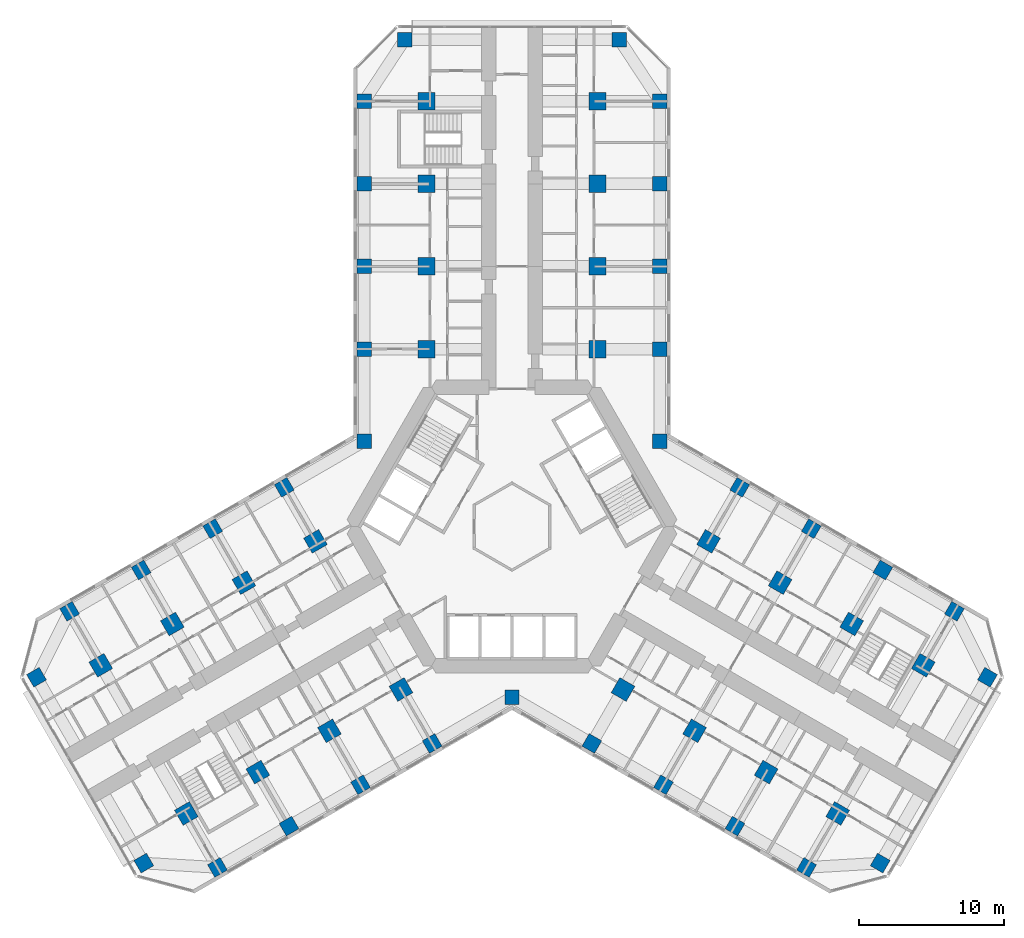
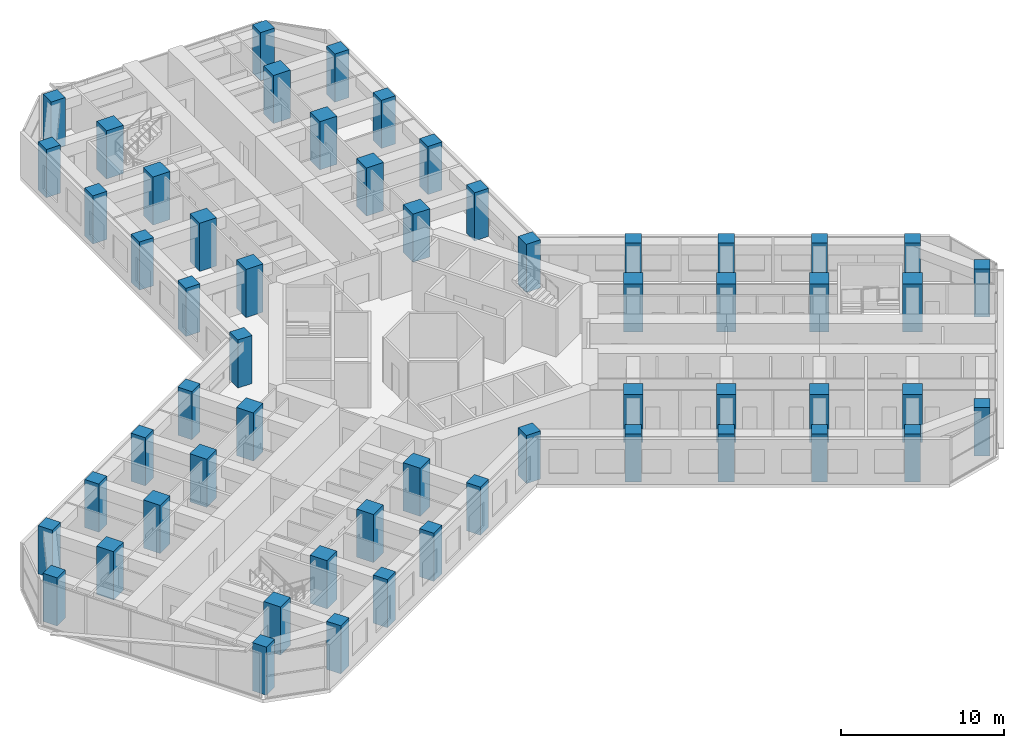
# One storey, part 1 of 21: 57 columns.
"""IFC4 building model written with IfcOpenShell, lengths in metres."""

from ifc_helpers import new_model, si_unit, direction, frame, origin, origin_2d, place, context, subcontext, project, spatial, rectangle, extrude, material, material_profile, profile_set, type_object, element, save


model = new_model("IFC4")

# Units and contexts
model_context = context("Model", 3, precision=1e-05, world=origin(), true_north=direction((0.0, 1.0)))
body_context = subcontext(model_context, "Body", "Model", "MODEL_VIEW")
ifc_project = project(units=[si_unit("LENGTHUNIT", "METRE"), si_unit("AREAUNIT", "SQUARE_METRE"), si_unit("VOLUMEUNIT", "CUBIC_METRE"), si_unit("PLANEANGLEUNIT", "RADIAN"), si_unit("MASSUNIT", "GRAM", prefix="KILO")], contexts=[model_context])

# Site, building, storey
site_placement = place(None, origin())
site = spatial("IfcSite", under=ifc_project, at=site_placement, CompositionType="ELEMENT")
building_placement = place(site_placement, origin())
building = spatial("IfcBuilding", under=site, at=building_placement, Name="Kosmar Iwan School Tower", CompositionType="ELEMENT")
storey_placement = place(building_placement, frame((0.0, 0.0, 61.0)))
storey = spatial("IfcBuildingStorey", under=building, at=storey_placement, Name="L14", CompositionType="ELEMENT", Elevation=61.0)

# Columns
ifc_material_1 = material(Name="Concrete C50/60", Category="concrete")
ifc_material_profile_1 = material_profile(ifc_material_1, rectangle(XDim=1.0, YDim=1.0, at=origin_2d()), Name="RC 1000x1000 + HD 400x677")
ifc_profile_set_1 = profile_set([ifc_material_profile_1], Name="Concrete C50/60")
column_type_1 = type_object("IfcColumnType", Name="Composite column 1000x1000 HD 400x677", PredefinedType="COLUMN", material=ifc_profile_set_1)
for number, where, z_axis, x_axis, name in (
    (1, (-10.199951171875, 12.25, 0.0), (0.0, 0.0, 1.0), (0.0, 1.0, 0.0), "Column AL1 L14"),
    (2, (-10.199951171875, 17.949951171875, 0.0), (0.0, 0.0, 1.0), (0.0, 1.0, 0.0), "Column AL2 L14"),
    (3, (-10.199951171875, 23.64990234375, 0.0), (0.0, 0.0, 1.0), (0.0, 1.0, 0.0), "Column AL3 L14"),
    (4, (-10.199951171875, 29.35009765625, 0.0), (0.0, 0.0, 1.0), (0.0, 1.0, 0.0), "Column AL4 L14"),
    (5, (-7.39990234375, 33.60009765625, 0.0), (0.0, 0.0, 1.0), (0.0, 1.0, 0.0), "Column ALTIP L14"),
    (6, (10.199951171875, 12.25, 0.0), (0.0, 0.0, 1.0), (0.0, 1.0, 0.0), "Column AR1 L14"),
    (7, (10.199951171875, 17.949951171875, 0.0), (0.0, 0.0, 1.0), (0.0, 1.0, 0.0), "Column AR2 L14"),
    (8, (10.199951171875, 23.64990234375, 0.0), (0.0, 0.0, 1.0), (0.0, 1.0, 0.0), "Column AR3 L14"),
    (9, (10.199951171875, 29.35009765625, 0.0), (0.0, 0.0, 1.0), (0.0, 1.0, 0.0), "Column AR4 L14"),
    (10, (7.39990234375, 33.60009765625, 0.0), (0.0, 0.0, 1.0), (0.0, 1.0, 0.0), "Column ARTIP L14"),
    (11, (-5.5087890625, -14.95849609375, 0.0), (0.0, 0.0, 1.0), (-0.866025403784, -0.5, 0.0), "Column BL1 L14"),
    (12, (-10.445068359375, -17.808349609375, 0.0), (0.0, 0.0, 1.0), (-0.866025403784, -0.5, 0.0), "Column BL2 L14"),
    (13, (-15.381591796875, -20.658447265625, 0.0), (0.0, 0.0, 1.0), (-0.866025403784, -0.5, 0.0), "Column BL3 L14"),
    (14, (-20.31787109375, -23.508544921875, 0.0), (0.0, 0.0, 1.0), (-0.866025403784, -0.5, 0.0), "Column BL4 L14"),
    (15, (-25.3984375, -23.20849609375, 0.0), (0.0, 0.0, 1.0), (-0.866025403784, -0.5, 0.0), "Column BLTIP L14"),
    (16, (-15.708740234375, 2.70849609375, 0.0), (0.0, 0.0, 1.0), (-0.866025403784, -0.5, 0.0), "Column BR1 L14"),
    (17, (-20.645263671875, -0.1416015625, 0.0), (0.0, 0.0, 1.0), (-0.866025403784, -0.5, 0.0), "Column BR2 L14"),
    (18, (-25.58154296875, -2.991455078125, 0.0), (0.0, 0.0, 1.0), (-0.866025403784, -0.5, 0.0), "Column BR3 L14"),
    (19, (-30.517822265625, -5.841552734375, 0.0), (0.0, 0.0, 1.0), (-0.866025403784, -0.5, 0.0), "Column BR4 L14"),
    (20, (-32.79833984375, -10.391357421875, 0.0), (0.0, 0.0, 1.0), (-0.866025403784, -0.5, 0.0), "Column BRTIP L14"),
    (21, (15.708740234375, 2.70849609375, 0.0), (0.0, 0.0, 1.0), (0.866025403784, -0.5, 0.0), "Column CL1 L14"),
    (22, (20.645263671875, -0.1416015625, 0.0), (0.0, 0.0, 1.0), (0.866025403784, -0.5, 0.0), "Column CL2 L14"),
    (23, (25.58154296875, -2.991455078125, 0.0), (0.0, 0.0, 1.0), (0.866025403784, -0.5, 0.0), "Column CL3 L14"),
    (24, (30.517822265625, -5.841552734375, 0.0), (0.0, 0.0, 1.0), (0.866025403784, -0.5, 0.0), "Column CL4 L14"),
    (25, (32.79833984375, -10.391357421875, 0.0), (0.0, 0.0, 1.0), (0.866025403784, -0.5, 0.0), "Column CLTIP L14"),
    (26, (5.5087890625, -14.95849609375, 0.0), (0.0, 0.0, 1.0), (0.866025403784, -0.5, 0.0), "Column CR1 L14"),
    (27, (10.445068359375, -17.808349609375, 0.0), (0.0, 0.0, 1.0), (0.866025403784, -0.5, 0.0), "Column CR2 L14"),
    (28, (15.381591796875, -20.658447265625, 0.0), (0.0, 0.0, 1.0), (0.866025403784, -0.5, 0.0), "Column CR3 L14"),
    (29, (20.31787109375, -23.508544921875, 0.0), (0.0, 0.0, 1.0), (0.866025403784, -0.5, 0.0), "Column CR4 L14"),
    (30, (25.3984375, -23.20849609375, 0.0), (0.0, 0.0, 1.0), (0.866025403784, -0.5, 0.0), "Column CRTIP L14"),
    (31, (-10.199951171875, 5.888916015625, 0.0), (0.0, 0.0, 1.0), (1.0, 0.0, 0.0), "Column RAB L14"),
    (32, (10.199951171875, 5.888916015625, 0.0), (0.0, 0.0, 1.0), (1.0, 0.0, 0.0), "Column RAC L14"),
    (33, (0.0, -11.77783203125, 0.0), (0.0, 0.0, 1.0), (1.0, 0.0, 0.0), "Column RBC L14"),
):
    element("IfcColumn", number, at=place(storey_placement, frame(where, z_axis=z_axis, x_axis=x_axis)), inside=storey, type_object=column_type_1, Name=name, PredefinedType="COLUMN", context=body_context, shape_type="SweptSolid", body=[
        extrude(rectangle(XDim=1.0, YDim=1.0, at=origin_2d()), origin(), (0.0, 0.0, 1.0), 3.60009765625),
    ])
ifc_material_2 = material(Name="Concrete C50/60", Category="concrete")
ifc_material_profile_2 = material_profile(ifc_material_2, rectangle(XDim=1.199951171875, YDim=1.199951171875, at=origin_2d()), Name="RC 1200x1200")
ifc_profile_set_2 = profile_set([ifc_material_profile_2], Name="Concrete C50/60")
column_type_2 = type_object("IfcColumnType", Name="RC interior column 1200x1200", PredefinedType="COLUMN", material=ifc_profile_set_2)
for number, where, z_axis, x_axis, name in (
    (34, (-5.89990234375, 12.25, 0.0), (0.0, 0.0, 1.0), (0.0, 1.0, 0.0), "Interior column ALI1 L14"),
    (35, (-5.89990234375, 17.949951171875, 0.0), (0.0, 0.0, 1.0), (0.0, 1.0, 0.0), "Interior column ALI2 L14"),
    (36, (-5.89990234375, 23.64990234375, 0.0), (0.0, 0.0, 1.0), (0.0, 1.0, 0.0), "Interior column ALI3 L14"),
    (37, (-5.89990234375, 29.35009765625, 0.0), (0.0, 0.0, 1.0), (0.0, 1.0, 0.0), "Interior column ALI4 L14"),
    (38, (5.89990234375, 12.25, 0.0), (0.0, 0.0, 1.0), (0.0, 1.0, 0.0), "Interior column ARI1 L14"),
    (39, (5.89990234375, 17.949951171875, 0.0), (0.0, 0.0, 1.0), (0.0, 1.0, 0.0), "Interior column ARI2 L14"),
    (40, (5.89990234375, 23.64990234375, 0.0), (0.0, 0.0, 1.0), (0.0, 1.0, 0.0), "Interior column ARI3 L14"),
    (41, (5.89990234375, 29.35009765625, 0.0), (0.0, 0.0, 1.0), (0.0, 1.0, 0.0), "Interior column ARI4 L14"),
    (42, (-7.65869140625, -11.234619140625, 0.0), (0.0, 0.0, 1.0), (-0.866025403784, -0.5, 0.0), "Interior column BLI1 L14"),
    (43, (-12.59521484375, -14.08447265625, 0.0), (0.0, 0.0, 1.0), (-0.866025403784, -0.5, 0.0), "Interior column BLI2 L14"),
    (44, (-17.531494140625, -16.9345703125, 0.0), (0.0, 0.0, 1.0), (-0.866025403784, -0.5, 0.0), "Interior column BLI3 L14"),
    (45, (-22.4677734375, -19.78466796875, 0.0), (0.0, 0.0, 1.0), (-0.866025403784, -0.5, 0.0), "Interior column BLI4 L14"),
    (46, (-13.558837890625, -1.015380859375, 0.0), (0.0, 0.0, 1.0), (-0.866025403784, -0.5, 0.0), "Interior column BRI1 L14"),
    (47, (-18.4951171875, -3.865478515625, 0.0), (0.0, 0.0, 1.0), (-0.866025403784, -0.5, 0.0), "Interior column BRI2 L14"),
    (48, (-23.431396484375, -6.71533203125, 0.0), (0.0, 0.0, 1.0), (-0.866025403784, -0.5, 0.0), "Interior column BRI3 L14"),
    (49, (-28.367919921875, -9.5654296875, 0.0), (0.0, 0.0, 1.0), (-0.866025403784, -0.5, 0.0), "Interior column BRI4 L14"),
    (50, (13.558837890625, -1.015380859375, 0.0), (0.0, 0.0, 1.0), (0.866025403784, -0.5, 0.0), "Interior column CLI1 L14"),
    (51, (18.4951171875, -3.865478515625, 0.0), (0.0, 0.0, 1.0), (0.866025403784, -0.5, 0.0), "Interior column CLI2 L14"),
    (52, (23.431396484375, -6.71533203125, 0.0), (0.0, 0.0, 1.0), (0.866025403784, -0.5, 0.0), "Interior column CLI3 L14"),
    (53, (28.367919921875, -9.5654296875, 0.0), (0.0, 0.0, 1.0), (0.866025403784, -0.5, 0.0), "Interior column CLI4 L14"),
    (54, (7.65869140625, -11.234619140625, 0.0), (0.0, 0.0, 1.0), (0.866025403784, -0.5, 0.0), "Interior column CRI1 L14"),
    (55, (12.59521484375, -14.08447265625, 0.0), (0.0, 0.0, 1.0), (0.866025403784, -0.5, 0.0), "Interior column CRI2 L14"),
    (56, (17.531494140625, -16.9345703125, 0.0), (0.0, 0.0, 1.0), (0.866025403784, -0.5, 0.0), "Interior column CRI3 L14"),
    (57, (22.4677734375, -19.78466796875, 0.0), (0.0, 0.0, 1.0), (0.866025403784, -0.5, 0.0), "Interior column CRI4 L14"),
):
    element("IfcColumn", number, at=place(storey_placement, frame(where, z_axis=z_axis, x_axis=x_axis)), inside=storey, type_object=column_type_2, Name=name, PredefinedType="COLUMN", context=body_context, shape_type="SweptSolid", body=[
        extrude(rectangle(XDim=1.199951171875, YDim=1.199951171875, at=origin_2d()), origin(), (0.0, 0.0, 1.0), 3.60009765625),
    ])

save(model, "model.ifc")
